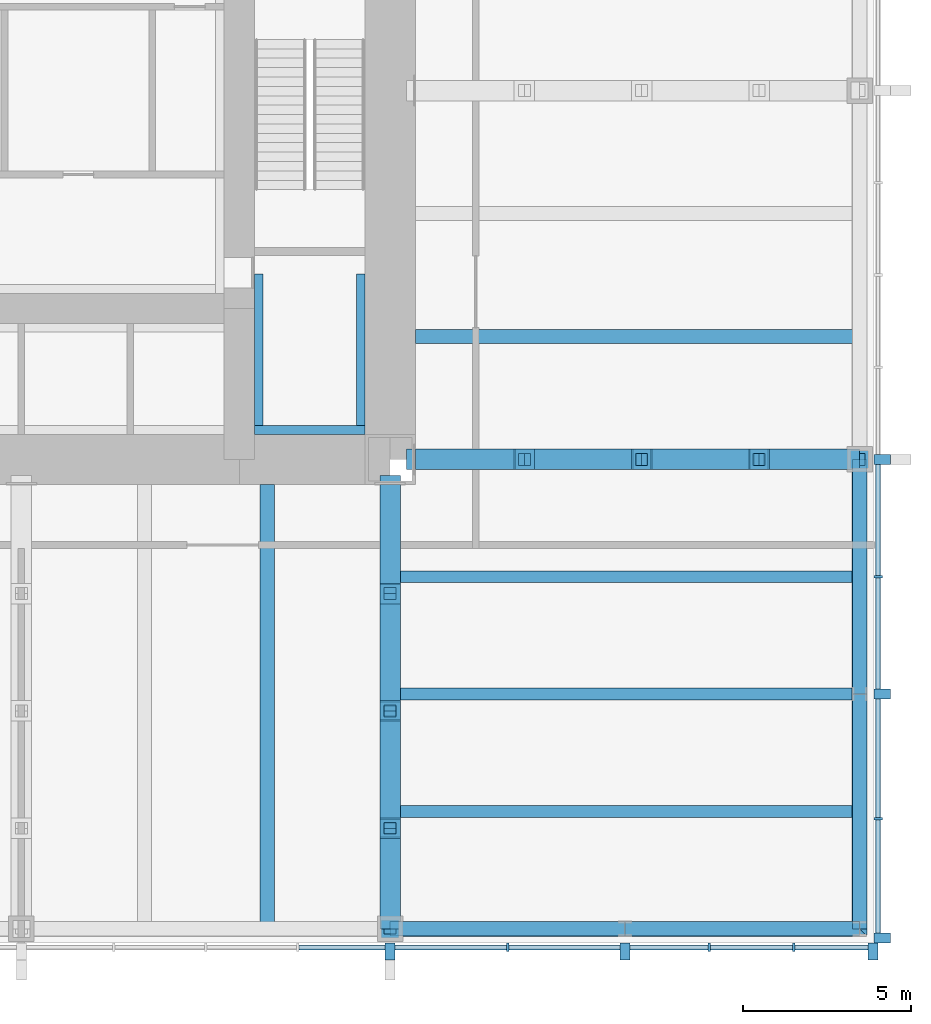
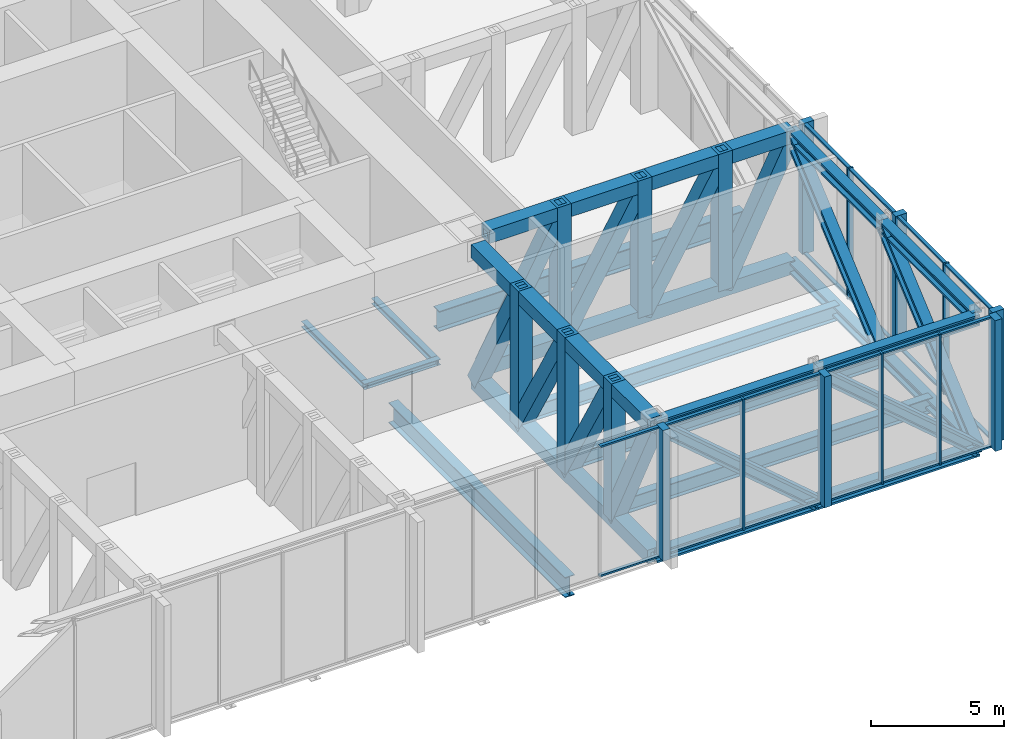
# One storey, part 5 of 13: 49 members, 26 beams, 2 elements without a shape of their own.
"""IFC4 building model written with IfcOpenShell, lengths in metres."""

import ifcopenshell
import ifcopenshell.guid

model = None  # the IFC model being written
_history = None  # IfcOwnerHistory: only IFC2X3 demands one
_inside = {}  # id of a spatial element -> (the spatial element, [elements in it])
_under = {}  # id of a project, library or spatial element -> (it, [spatial elements below it])
_declared = {}  # id of a project -> (the project, [libraries it declares])
_typed = {}  # id of a type object -> (the type object, [elements of that type])
_made_of = {}  # id of a material, layer set ... -> (it, [elements and type objects made of it])


def new_model(schema):
    """Start an empty IFC model of exactly this schema.

    Asked for "IFC4X3", IfcOpenShell would pick the latest addendum, in which some entities
    have other attributes; the version numbers below select the first issue.
    IFC2X3 requires an IfcOwnerHistory on every rooted entity: one is made here for all.
    """
    global model, _history
    if schema == "IFC4X3":
        model = ifcopenshell.file(schema_version=(4, 3, 0, 0))
    else:
        model = ifcopenshell.file(schema=schema)
    _inside.clear()
    _under.clear()
    _declared.clear()
    _typed.clear()
    _made_of.clear()
    _history = None
    if model.schema == "IFC2X3":
        org = make("IfcOrganization", Name="unknown")
        user = make(
            "IfcPersonAndOrganization",
            ThePerson=make("IfcPerson", FamilyName="unknown"),
            TheOrganization=org,
        )
        app = make(
            "IfcApplication",
            ApplicationDeveloper=org,
            Version="unknown",
            ApplicationFullName="unknown",
            ApplicationIdentifier="unknown",
        )
        _history = make(
            "IfcOwnerHistory",
            OwningUser=user,
            OwningApplication=app,
            ChangeAction="ADDED",
            CreationDate=0,
        )
    return model


def make(cls, **values):
    """One entity of the class cls with the attributes given. An attribute that is None is left unset."""
    return model.create_entity(
        cls, **{name: value for name, value in values.items() if value is not None}
    )


def rooted(cls, **values):
    """An entity with a GlobalId (a new one), such as an element, a storey or a relation."""
    return make(cls, GlobalId=ifcopenshell.guid.new(), OwnerHistory=_history, **values)


def si_unit(unit_type, name, prefix=None):
    """IfcSIUnit, for example si_unit("LENGTHUNIT", "METRE", prefix="MILLI")."""
    return make("IfcSIUnit", UnitType=unit_type, Prefix=prefix, Name=name)


def assignment(units):
    """IfcUnitAssignment: the units of a project."""
    return None if units is None else make("IfcUnitAssignment", Units=units)


def point(xyz):
    """IfcCartesianPoint."""
    return None if xyz is None else make("IfcCartesianPoint", Coordinates=xyz)


def direction(xyz):
    """IfcDirection."""
    return None if xyz is None else make("IfcDirection", DirectionRatios=xyz)


def frame(location, z_axis=None, x_axis=None):
    """IfcAxis2Placement3D, a coordinate frame: its origin and axes. An axis left out is left unset."""
    return make(
        "IfcAxis2Placement3D",
        Location=point(location),
        Axis=direction(z_axis),
        RefDirection=direction(x_axis),
    )


def frame_2d(location, x_axis=None):
    """IfcAxis2Placement2D, a coordinate frame in the plane: its origin and x axis."""
    return make(
        "IfcAxis2Placement2D", Location=point(location), RefDirection=direction(x_axis)
    )


def origin():
    """The frame at (0, 0, 0) with its axes left unset."""
    return frame((0.0, 0.0, 0.0))


def origin_2d():
    """The frame at (0, 0) in the plane with its x axis left unset."""
    return frame_2d((0.0, 0.0))


def place(relative_to, where):
    """IfcLocalPlacement: puts the frame where relative to a parent placement (None: the world)."""
    return make(
        "IfcLocalPlacement", PlacementRelTo=relative_to, RelativePlacement=where
    )


def context(
    kind, dimensions, precision=None, world=None, true_north=None, identifier=None
):
    """IfcGeometricRepresentationContext, for example the 3D "Model" context."""
    return make(
        "IfcGeometricRepresentationContext",
        ContextIdentifier=identifier,
        ContextType=kind,
        CoordinateSpaceDimension=dimensions,
        Precision=precision,
        WorldCoordinateSystem=world,
        TrueNorth=true_north,
    )


def subcontext(parent, identifier, kind, view, scale=None):
    """IfcGeometricRepresentationSubContext, for example "Body" below "Model"."""
    return make(
        "IfcGeometricRepresentationSubContext",
        ContextIdentifier=identifier,
        ContextType=kind,
        ParentContext=parent,
        TargetScale=scale,
        TargetView=view,
    )


def project(units=None, contexts=None):
    """IfcProject with its units and contexts."""
    return rooted(
        "IfcProject",
        Name="project",
        RepresentationContexts=contexts,
        UnitsInContext=assignment(units),
    )


def spatial(cls, under=None, at=None, **own):
    """A site, building, storey or space (cls), placed at a placement, below another one or the project."""
    s = rooted(cls, ObjectPlacement=at, **own)
    if under is not None:
        _under.setdefault(under.id(), (under, []))[1].append(s)
    return s


def profile(cls, at=None, kind="AREA", **sizes):
    """A parametric profile (cls). Its sizes go by their IFC names, for example OverallWidth=200.0."""
    return make(cls, ProfileType=kind, Position=at, **sizes)


def rectangle(**sizes):
    """IfcRectangleProfileDef."""
    return profile("IfcRectangleProfileDef", **sizes)


def hollow_rectangle(**sizes):
    """IfcRectangleHollowProfileDef."""
    return profile("IfcRectangleHollowProfileDef", **sizes)


def i_section(**sizes):
    """IfcIShapeProfileDef."""
    return profile("IfcIShapeProfileDef", **sizes)


def extrude(swept, where, along, depth):
    """IfcExtrudedAreaSolid: the profile swept, set in the frame where, extruded along a direction by depth."""
    return make(
        "IfcExtrudedAreaSolid",
        SweptArea=swept,
        Position=where,
        ExtrudedDirection=direction(along),
        Depth=depth,
    )


def shape(context_of_items, identifier, shape_type, items):
    """IfcShapeRepresentation: the items that make up one representation, for example the "Body"."""
    return make(
        "IfcShapeRepresentation",
        ContextOfItems=context_of_items,
        RepresentationIdentifier=identifier,
        RepresentationType=shape_type,
        Items=items,
    )


def material(Name=None, Category=None):
    """IfcMaterial."""
    return make("IfcMaterial", Name=Name, Category=Category)


def material_profile(
    of_material, cross_section, Name=None, Category=None, Priority=None
):
    """IfcMaterialProfile: a cross section and its material."""
    return make(
        "IfcMaterialProfile",
        Name=Name,
        Material=of_material,
        Profile=cross_section,
        Priority=Priority,
        Category=Category,
    )


def profile_set(profiles, Name=None, composite=None):
    """IfcMaterialProfileSet."""
    return make(
        "IfcMaterialProfileSet",
        Name=Name,
        MaterialProfiles=profiles,
        CompositeProfile=composite,
    )


def made_of(thing, what):
    """Note that an element or type object is made of a material, layer set ...; save() writes the relation."""
    if what is not None:
        _made_of.setdefault(what.id(), (what, []))[1].append(thing)
    return thing


def type_object(cls, material=None, **own):
    """A type object (cls), such as IfcWallType, which elements share."""
    return made_of(rooted(cls, **own), material)


def element(
    cls,
    number,
    at=None,
    inside=None,
    cuts=None,
    type_object=None,
    material=None,
    context=None,
    identifier="Body",
    shape_type=None,
    held_by="IfcProductDefinitionShape",
    body=None,
    shapes=None,
    **own,
):
    """One element of the class cls, such as IfcWall. Its Tag is "e" and its number.

    at: its placement. inside: the storey or other place that contains it. cuts: it is an
    opening in that element (IfcRelVoidsElement). A single representation is given by context,
    identifier, shape_type and body (its items); several are given by shapes. held_by: the class
    of the entity that holds the representations. save() writes the other relations.
    """
    e = rooted(cls, Tag="e%d" % number, ObjectPlacement=at, **own)
    if body is not None:
        shapes = [shape(context, identifier, shape_type, body)]
    if shapes is not None:
        e.Representation = make(held_by, Representations=shapes)
    if inside is not None:
        _inside.setdefault(inside.id(), (inside, []))[1].append(e)
    if cuts is not None:
        rooted(
            "IfcRelVoidsElement", RelatingBuildingElement=cuts, RelatedOpeningElement=e
        )
    if type_object is not None:
        _typed.setdefault(type_object.id(), (type_object, []))[1].append(e)
    return made_of(e, material)


def aggregate(whole, parts):
    """IfcRelAggregates: a whole, such as a stair, and the parts it consists of."""
    return rooted("IfcRelAggregates", RelatingObject=whole, RelatedObjects=parts)


def save(model, path):
    """Write the relations noted so far, then the file.

    IfcRelAggregates (storeys below a building ...), IfcRelContainedInSpatialStructure (elements
    in a storey), IfcRelDefinesByType, IfcRelAssociatesMaterial and IfcRelDeclares: one each for
    every whole, place, type object, material and project.
    """
    for whole, parts in _under.values():
        aggregate(whole, parts)
    for where, things in _inside.values():
        rooted(
            "IfcRelContainedInSpatialStructure",
            RelatedElements=things,
            RelatingStructure=where,
        )
    for kind, things in _typed.values():
        rooted("IfcRelDefinesByType", RelatedObjects=things, RelatingType=kind)
    for what, things in _made_of.values():
        rooted("IfcRelAssociatesMaterial", RelatedObjects=things, RelatingMaterial=what)
    for by, libraries in _declared.values():
        rooted("IfcRelDeclares", RelatingContext=by, RelatedDefinitions=libraries)
    model.write(path)


model = new_model("IFC4")

# Units and contexts
model_context = context("Model", 3, precision=1e-05, world=origin(), true_north=direction((0.0, 1.0)))
body_context = subcontext(model_context, "Body", "Model", "MODEL_VIEW")
ifc_project = project(units=[si_unit("LENGTHUNIT", "METRE"), si_unit("AREAUNIT", "SQUARE_METRE"), si_unit("VOLUMEUNIT", "CUBIC_METRE"), si_unit("PLANEANGLEUNIT", "RADIAN"), si_unit("MASSUNIT", "GRAM", prefix="KILO")], contexts=[model_context])

# Site, building, storey
site_placement = place(None, origin())
site = spatial("IfcSite", under=ifc_project, at=site_placement, CompositionType="ELEMENT")
building_placement = place(site_placement, origin())
building = spatial("IfcBuilding", under=site, at=building_placement, Name="Trevanion Tower", CompositionType="ELEMENT")
storey_placement = place(building_placement, frame((0.0, 0.0, 89.800048828125)))
storey = spatial("IfcBuildingStorey", under=building, at=storey_placement, Name="L21", CompositionType="ELEMENT", Elevation=89.800048828125)

# Beams
ifc_material_1 = material(Name="Steel ASTM A992 Grade 50", Category="steel")
ifc_material_profile_1 = material_profile(ifc_material_1, i_section(OverallWidth=0.419189453125, OverallDepth=0.927001953125, WebThickness=0.019287109375, FlangeThickness=0.031982421875, at=origin_2d()), Name="W36X231")
ifc_profile_set_1 = profile_set([ifc_material_profile_1], Name="Steel ASTM A992 Grade 50")
beam_type_1 = type_object("IfcBeamType", Name="B5 W36X231", PredefinedType="BEAM", material=ifc_profile_set_1)
for number, where, z_axis, x_axis, name in (
    (1, (11.75, -7.333251953125, -0.653564453125), (1.0, 0.0, 0.0), (0.0, 1.0, 0.0), "B5 L21"),
    (2, (7.333251953125, -11.75, -0.653564453125), (0.0, -1.0, 0.0), (1.0, 0.0, 0.0), "B5 L21"),
):
    element("IfcBeam", number, at=place(storey_placement, frame(where, z_axis=z_axis, x_axis=x_axis)), inside=storey, type_object=beam_type_1, Name=name, PredefinedType="BEAM", context=body_context, shape_type="SweptSolid", body=[
        extrude(i_section(OverallWidth=0.419189453125, OverallDepth=0.927001953125, WebThickness=0.019287109375, FlangeThickness=0.031982421875, at=origin_2d()), origin(), (0.0, 0.0, 1.0), 13.25),
    ])
ifc_material_2 = material(Name="Steel ASTM A992 Grade 50", Category="steel")
ifc_material_profile_2 = material_profile(ifc_material_2, i_section(OverallWidth=0.355712890625, OverallDepth=0.696044921875, WebThickness=0.015380859375, FlangeThickness=0.024658203125, at=origin_2d()), Name="W27X146")
ifc_profile_set_2 = profile_set([ifc_material_profile_2], Name="Steel ASTM A992 Grade 50")
beam_type_2 = type_object("IfcBeamType", Name="B6 W27X146", PredefinedType="BEAM", material=ifc_profile_set_2)
for number, where, z_axis, x_axis, name in (
    (3, (11.0, -14.5, -0.5380859375), (1.0, 0.0, 0.0), (0.0, 1.0, 0.0), "B6 L21"),
    (4, (11.0, -18.0, -0.5380859375), (1.0, 0.0, 0.0), (0.0, 1.0, 0.0), "B6 L21"),
    (5, (11.0, -21.5, -0.5380859375), (1.0, 0.0, 0.0), (0.0, 1.0, 0.0), "B6 L21"),
):
    element("IfcBeam", number, at=place(storey_placement, frame(where, z_axis=z_axis, x_axis=x_axis)), inside=storey, type_object=beam_type_2, Name=name, PredefinedType="BEAM", context=body_context, shape_type="SweptSolid", body=[
        extrude(i_section(OverallWidth=0.355712890625, OverallDepth=0.696044921875, WebThickness=0.015380859375, FlangeThickness=0.024658203125, at=origin_2d()), origin(), (0.0, 0.0, 1.0), 14.0),
    ])
ifc_material_3 = material(Name="Steel ASTM A992 Grade 50", Category="steel")
ifc_material_profile_3 = material_profile(ifc_material_3, i_section(OverallWidth=0.431884765625, OverallDepth=0.497802734375, WebThickness=0.0556640625, FlangeThickness=0.0888671875, at=origin_2d()), Name="W14X500")
ifc_profile_set_3 = profile_set([ifc_material_profile_3], Name="Steel ASTM A992 Grade 50")
beam_type_3 = type_object("IfcBeamType", Name="BT1-CH W14X500", PredefinedType="BEAM", material=ifc_profile_set_3)
for number, where, z_axis, x_axis, name in (
    (6, (25.0, -25.0, -0.494873046875), (0.0, 1.0, 0.0), (-1.0, 0.0, 0.0), "BT1 belt truss chord"),
    (7, (25.0, -25.0, 5.505126953125), (0.0, 1.0, 0.0), (-1.0, 0.0, 0.0), "BT1 belt truss chord"),
    (8, (25.0, -18.0, -0.494873046875), (0.0, 1.0, 0.0), (-1.0, 0.0, 0.0), "BT1 belt truss chord"),
    (9, (25.0, -18.0, 5.505126953125), (0.0, 1.0, 0.0), (-1.0, 0.0, 0.0), "BT1 belt truss chord"),
    (10, (11.0, -25.0, -0.494873046875), (1.0, 0.0, 0.0), (0.0, 1.0, 0.0), "BT1 belt truss chord"),
    (11, (11.0, -25.0, 5.505126953125), (1.0, 0.0, 0.0), (0.0, 1.0, 0.0), "BT1 belt truss chord"),
    (12, (18.0, -25.0, -0.494873046875), (1.0, 0.0, 0.0), (0.0, 1.0, 0.0), "BT1 belt truss chord"),
    (13, (18.0, -25.0, 5.505126953125), (1.0, 0.0, 0.0), (0.0, 1.0, 0.0), "BT1 belt truss chord"),
):
    element("IfcBeam", number, at=place(storey_placement, frame(where, z_axis=z_axis, x_axis=x_axis)), inside=storey, type_object=beam_type_3, Name=name, PredefinedType="BEAM", context=body_context, shape_type="SweptSolid", body=[
        extrude(i_section(OverallWidth=0.431884765625, OverallDepth=0.497802734375, WebThickness=0.0556640625, FlangeThickness=0.0888671875, at=origin_2d()), origin(), (0.0, 0.0, 1.0), 7.0),
    ])

# Members
ifc_material_4 = material(Name="Steel ASTM A992 Grade 50", Category="steel")
ifc_material_profile_4 = material_profile(ifc_material_4, i_section(OverallWidth=0.449462890625, OverallDepth=0.548583984375, WebThickness=0.07177734375, FlangeThickness=0.11474609375, at=origin_2d()), Name="W14X665")
ifc_profile_set_4 = profile_set([ifc_material_profile_4], Name="Steel ASTM A992 Grade 50")
member_type_1 = type_object("IfcMemberType", Name="BT1-D W14X665", PredefinedType="BRACE", material=ifc_profile_set_4)
for number, where, z_axis, x_axis, name in (
    (14, (25.0, -25.0, -0.494873046875), (0.0, 0.759256602365, 0.650791373456), (-1.0, 0.0, 0.0), "BT1 belt truss diagonal"),
    (15, (25.0, -18.0, -0.494873046875), (0.0, 0.759256602365, 0.650791373456), (-1.0, 0.0, 0.0), "BT1 belt truss diagonal"),
    (16, (18.0, -25.0, -0.494873046875), (-0.759256602365, 0.0, 0.650791373456), (0.0, -1.0, 0.0), "BT1 belt truss diagonal"),
    (17, (25.0, -25.0, -0.494873046875), (-0.759256602365, 0.0, 0.650791373456), (0.0, -1.0, 0.0), "BT1 belt truss diagonal"),
):
    element("IfcMember", number, at=place(storey_placement, frame(where, z_axis=z_axis, x_axis=x_axis)), inside=storey, type_object=member_type_1, Name=name, PredefinedType="BRACE", context=body_context, shape_type="SweptSolid", body=[
        extrude(i_section(OverallWidth=0.449462890625, OverallDepth=0.548583984375, WebThickness=0.07177734375, FlangeThickness=0.11474609375, at=origin_2d()), origin(), (0.0, 0.0, 1.0), 9.219482421875),
    ])

# Curtain wall, members
ifc_material_5 = material(Name="Aluminium louvres", Category="aluminium")
curtain_wall_type = type_object("IfcCurtainWallType", Name="CWL curtain wall", PredefinedType="USERDEFINED", material=ifc_material_5)
curtain_wall_1_placement = place(storey_placement, origin())
curtain_wall_1 = element("IfcCurtainWall", 18, at=curtain_wall_1_placement, inside=storey, type_object=curtain_wall_type, Name="CWL L21 0", ObjectType="LOUVRE SCREEN", PredefinedType="USERDEFINED")
ifc_material_6 = material(Name="Aluminium extrusion, anodised bronze", Category="aluminium")
ifc_material_profile_5 = material_profile(ifc_material_6, rectangle(XDim=0.074951171875, YDim=0.25, at=origin_2d()), Name="CWL mullion")
ifc_profile_set_5 = profile_set([ifc_material_profile_5], Name="Aluminium extrusion, anodised bronze")
member_type_2 = type_object("IfcMemberType", Name="CWL mullion", PredefinedType="MULLION", material=ifc_profile_set_5)
member_1_placement = place(storey_placement, frame((25.550048828125, -21.7099609375, -0.18994140625), z_axis=(0.0, 0.0, 1.0), x_axis=(0.0, 1.0, 0.0)))
member_1 = element("IfcMember", 19, at=member_1_placement, type_object=member_type_2, Name="CWL mullion 2", PredefinedType="MULLION", context=body_context, shape_type="SweptSolid", body=[
    extrude(rectangle(XDim=0.074951171875, YDim=0.25, at=origin_2d()), origin(), (0.0, 0.0, 1.0), 6.0),
])
member_2_placement = place(storey_placement, frame((25.550048828125, -14.5, -0.18994140625), z_axis=(0.0, 0.0, 1.0), x_axis=(0.0, 1.0, 0.0)))
member_2 = element("IfcMember", 20, at=member_2_placement, type_object=member_type_2, Name="CWL mullion 4", PredefinedType="MULLION", context=body_context, shape_type="SweptSolid", body=[
    extrude(rectangle(XDim=0.074951171875, YDim=0.25, at=origin_2d()), origin(), (0.0, 0.0, 1.0), 6.0),
])

curtain_wall_2_placement = place(storey_placement, origin())
curtain_wall_2 = element("IfcCurtainWall", 21, at=curtain_wall_2_placement, inside=storey, type_object=curtain_wall_type, Name="CWL L21 3", ObjectType="LOUVRE SCREEN", PredefinedType="USERDEFINED")
member_3_placement = place(storey_placement, frame((14.5, -25.550048828125, -0.18994140625), z_axis=(0.0, 0.0, 1.0), x_axis=(1.0, 0.0, 0.0)))
member_3 = element("IfcMember", 22, at=member_3_placement, type_object=member_type_2, Name="CWL mullion 14", PredefinedType="MULLION", context=body_context, shape_type="SweptSolid", body=[
    extrude(rectangle(XDim=0.074951171875, YDim=0.25, at=origin_2d()), origin(), (0.0, 0.0, 1.0), 6.0),
])
member_4_placement = place(storey_placement, frame((20.5166015625, -25.550048828125, -0.18994140625), z_axis=(0.0, 0.0, 1.0), x_axis=(1.0, 0.0, 0.0)))
member_4 = element("IfcMember", 23, at=member_4_placement, type_object=member_type_2, Name="CWL mullion 16", PredefinedType="MULLION", context=body_context, shape_type="SweptSolid", body=[
    extrude(rectangle(XDim=0.074951171875, YDim=0.25, at=origin_2d()), origin(), (0.0, 0.0, 1.0), 6.0),
])
member_5_placement = place(storey_placement, frame((23.033203125, -25.550048828125, -0.18994140625), z_axis=(0.0, 0.0, 1.0), x_axis=(1.0, 0.0, 0.0)))
member_5 = element("IfcMember", 24, at=member_5_placement, type_object=member_type_2, Name="CWL mullion 17", PredefinedType="MULLION", context=body_context, shape_type="SweptSolid", body=[
    extrude(rectangle(XDim=0.074951171875, YDim=0.25, at=origin_2d()), origin(), (0.0, 0.0, 1.0), 6.0),
])

# Member
ifc_material_7 = material(Name="Aluminium extrusion, anodised bronze", Category="aluminium")
ifc_material_profile_6 = material_profile(ifc_material_7, rectangle(XDim=0.300048828125, YDim=0.5, at=origin_2d()), Name="CWL pier mullion")
ifc_profile_set_6 = profile_set([ifc_material_profile_6], Name="Aluminium extrusion, anodised bronze")
member_type_3 = type_object("IfcMemberType", Name="CWL pier mullion", PredefinedType="MULLION", material=ifc_profile_set_6)
member_6_placement = place(storey_placement, frame((25.675048828125, -25.27001953125, -0.18994140625), z_axis=(0.0, 0.0, 1.0), x_axis=(0.0, 1.0, 0.0)))
member_6 = element("IfcMember", 25, at=member_6_placement, type_object=member_type_3, Name="CWL pier mullion 1", PredefinedType="MULLION", context=body_context, shape_type="SweptSolid", body=[
    extrude(rectangle(XDim=0.300048828125, YDim=0.5, at=origin_2d()), origin(), (0.0, 0.0, 1.0), 6.0),
])

member_7_placement = place(storey_placement, frame((25.675048828125, -18.0, -0.18994140625), z_axis=(0.0, 0.0, 1.0), x_axis=(0.0, 1.0, 0.0)))
member_7 = element("IfcMember", 26, at=member_7_placement, type_object=member_type_3, Name="CWL pier mullion 3", PredefinedType="MULLION", context=body_context, shape_type="SweptSolid", body=[
    extrude(rectangle(XDim=0.300048828125, YDim=0.5, at=origin_2d()), origin(), (0.0, 0.0, 1.0), 6.0),
])

member_8_placement = place(storey_placement, frame((25.675048828125, -11.0, -0.18994140625), z_axis=(0.0, 0.0, 1.0), x_axis=(0.0, 1.0, 0.0)))
member_8 = element("IfcMember", 27, at=member_8_placement, type_object=member_type_3, Name="CWL pier mullion 5", PredefinedType="MULLION", context=body_context, shape_type="SweptSolid", body=[
    extrude(rectangle(XDim=0.300048828125, YDim=0.5, at=origin_2d()), origin(), (0.0, 0.0, 1.0), 6.0),
])

member_9_placement = place(storey_placement, frame((11.0, -25.675048828125, -0.18994140625), z_axis=(0.0, 0.0, 1.0), x_axis=(1.0, 0.0, 0.0)))
member_9 = element("IfcMember", 28, at=member_9_placement, type_object=member_type_3, Name="CWL pier mullion 13", PredefinedType="MULLION", context=body_context, shape_type="SweptSolid", body=[
    extrude(rectangle(XDim=0.300048828125, YDim=0.5, at=origin_2d()), origin(), (0.0, 0.0, 1.0), 6.0),
])

member_10_placement = place(storey_placement, frame((18.0, -25.675048828125, -0.18994140625), z_axis=(0.0, 0.0, 1.0), x_axis=(1.0, 0.0, 0.0)))
member_10 = element("IfcMember", 29, at=member_10_placement, type_object=member_type_3, Name="CWL pier mullion 15", PredefinedType="MULLION", context=body_context, shape_type="SweptSolid", body=[
    extrude(rectangle(XDim=0.300048828125, YDim=0.5, at=origin_2d()), origin(), (0.0, 0.0, 1.0), 6.0),
])

member_11_placement = place(storey_placement, frame((25.39990234375, -25.675048828125, -0.18994140625), z_axis=(0.0, 0.0, 1.0), x_axis=(1.0, 0.0, 0.0)))
member_11 = element("IfcMember", 30, at=member_11_placement, type_object=member_type_3, Name="CWL pier mullion 18", PredefinedType="MULLION", context=body_context, shape_type="SweptSolid", body=[
    extrude(rectangle(XDim=0.300048828125, YDim=0.5, at=origin_2d()), origin(), (0.0, 0.0, 1.0), 6.0),
])

ifc_material_8 = material(Name="Aluminium extrusion, anodised bronze", Category="aluminium")
ifc_material_profile_7 = material_profile(ifc_material_8, rectangle(XDim=0.14990234375, YDim=0.074951171875, at=origin_2d()), Name="CWL transom")
ifc_profile_set_7 = profile_set([ifc_material_profile_7], Name="Aluminium extrusion, anodised bronze")
member_type_4 = type_object("IfcMemberType", Name="CWL transom", PredefinedType="USERDEFINED", material=ifc_profile_set_7)
member_12_placement = place(storey_placement, frame((25.550048828125, -25.1201171875, -0.152587890625), z_axis=(0.0, 1.0, 0.0), x_axis=(-1.0, 0.0, 0.0)))
member_12 = element("IfcMember", 31, at=member_12_placement, type_object=member_type_4, Name="CWL transom 1.1", ObjectType="TRANSOM", PredefinedType="USERDEFINED", context=body_context, shape_type="SweptSolid", body=[
    extrude(rectangle(XDim=0.14990234375, YDim=0.074951171875, at=origin_2d()), origin(), (0.0, 0.0, 1.0), 3.37255859375),
])

member_13_placement = place(storey_placement, frame((25.550048828125, -25.1201171875, 5.7724609375), z_axis=(0.0, 1.0, 0.0), x_axis=(-1.0, 0.0, 0.0)))
member_13 = element("IfcMember", 32, at=member_13_placement, type_object=member_type_4, Name="CWL transom 1.2", ObjectType="TRANSOM", PredefinedType="USERDEFINED", context=body_context, shape_type="SweptSolid", body=[
    extrude(rectangle(XDim=0.14990234375, YDim=0.074951171875, at=origin_2d()), origin(), (0.0, 0.0, 1.0), 3.37255859375),
])

member_14_placement = place(storey_placement, frame((25.550048828125, -21.672607421875, -0.152587890625), z_axis=(0.0, 1.0, 0.0), x_axis=(-1.0, 0.0, 0.0)))
member_14 = element("IfcMember", 33, at=member_14_placement, type_object=member_type_4, Name="CWL transom 2.1", ObjectType="TRANSOM", PredefinedType="USERDEFINED", context=body_context, shape_type="SweptSolid", body=[
    extrude(rectangle(XDim=0.14990234375, YDim=0.074951171875, at=origin_2d()), origin(), (0.0, 0.0, 1.0), 3.522705078125),
])

member_15_placement = place(storey_placement, frame((25.550048828125, -21.672607421875, 5.7724609375), z_axis=(0.0, 1.0, 0.0), x_axis=(-1.0, 0.0, 0.0)))
member_15 = element("IfcMember", 34, at=member_15_placement, type_object=member_type_4, Name="CWL transom 2.2", ObjectType="TRANSOM", PredefinedType="USERDEFINED", context=body_context, shape_type="SweptSolid", body=[
    extrude(rectangle(XDim=0.14990234375, YDim=0.074951171875, at=origin_2d()), origin(), (0.0, 0.0, 1.0), 3.522705078125),
])

member_16_placement = place(storey_placement, frame((25.550048828125, -17.85009765625, -0.152587890625), z_axis=(0.0, 1.0, 0.0), x_axis=(-1.0, 0.0, 0.0)))
member_16 = element("IfcMember", 35, at=member_16_placement, type_object=member_type_4, Name="CWL transom 3.1", ObjectType="TRANSOM", PredefinedType="USERDEFINED", context=body_context, shape_type="SweptSolid", body=[
    extrude(rectangle(XDim=0.14990234375, YDim=0.074951171875, at=origin_2d()), origin(), (0.0, 0.0, 1.0), 3.3125),
])

member_17_placement = place(storey_placement, frame((25.550048828125, -17.85009765625, 5.7724609375), z_axis=(0.0, 1.0, 0.0), x_axis=(-1.0, 0.0, 0.0)))
member_17 = element("IfcMember", 36, at=member_17_placement, type_object=member_type_4, Name="CWL transom 3.2", ObjectType="TRANSOM", PredefinedType="USERDEFINED", context=body_context, shape_type="SweptSolid", body=[
    extrude(rectangle(XDim=0.14990234375, YDim=0.074951171875, at=origin_2d()), origin(), (0.0, 0.0, 1.0), 3.3125),
])

member_18_placement = place(storey_placement, frame((25.550048828125, -14.46240234375, -0.152587890625), z_axis=(0.0, 1.0, 0.0), x_axis=(-1.0, 0.0, 0.0)))
member_18 = element("IfcMember", 37, at=member_18_placement, type_object=member_type_4, Name="CWL transom 4.1", ObjectType="TRANSOM", PredefinedType="USERDEFINED", context=body_context, shape_type="SweptSolid", body=[
    extrude(rectangle(XDim=0.14990234375, YDim=0.074951171875, at=origin_2d()), origin(), (0.0, 0.0, 1.0), 3.3125),
])

member_19_placement = place(storey_placement, frame((25.550048828125, -14.46240234375, 5.7724609375), z_axis=(0.0, 1.0, 0.0), x_axis=(-1.0, 0.0, 0.0)))
member_19 = element("IfcMember", 38, at=member_19_placement, type_object=member_type_4, Name="CWL transom 4.2", ObjectType="TRANSOM", PredefinedType="USERDEFINED", context=body_context, shape_type="SweptSolid", body=[
    extrude(rectangle(XDim=0.14990234375, YDim=0.074951171875, at=origin_2d()), origin(), (0.0, 0.0, 1.0), 3.3125),
])

aggregate(curtain_wall_1, [member_6, member_1, member_7, member_2, member_8, member_12, member_13, member_14, member_15, member_16, member_17, member_18, member_19])

member_20_placement = place(storey_placement, frame((8.28759765625, -25.550048828125, -0.152587890625), z_axis=(1.0, 0.0, 0.0), x_axis=(0.0, 1.0, 0.0)))
member_20 = element("IfcMember", 39, at=member_20_placement, type_object=member_type_4, Name="CWL transom 12.1", ObjectType="TRANSOM", PredefinedType="USERDEFINED", context=body_context, shape_type="SweptSolid", body=[
    extrude(rectangle(XDim=0.14990234375, YDim=0.074951171875, at=origin_2d()), origin(), (0.0, 0.0, 1.0), 2.5625),
])

member_21_placement = place(storey_placement, frame((8.28759765625, -25.550048828125, 5.7724609375), z_axis=(1.0, 0.0, 0.0), x_axis=(0.0, 1.0, 0.0)))
member_21 = element("IfcMember", 40, at=member_21_placement, type_object=member_type_4, Name="CWL transom 12.2", ObjectType="TRANSOM", PredefinedType="USERDEFINED", context=body_context, shape_type="SweptSolid", body=[
    extrude(rectangle(XDim=0.14990234375, YDim=0.074951171875, at=origin_2d()), origin(), (0.0, 0.0, 1.0), 2.5625),
])

member_22_placement = place(storey_placement, frame((11.14990234375, -25.550048828125, -0.152587890625), z_axis=(1.0, 0.0, 0.0), x_axis=(0.0, 1.0, 0.0)))
member_22 = element("IfcMember", 41, at=member_22_placement, type_object=member_type_4, Name="CWL transom 13.1", ObjectType="TRANSOM", PredefinedType="USERDEFINED", context=body_context, shape_type="SweptSolid", body=[
    extrude(rectangle(XDim=0.14990234375, YDim=0.074951171875, at=origin_2d()), origin(), (0.0, 0.0, 1.0), 3.3125),
])

member_23_placement = place(storey_placement, frame((11.14990234375, -25.550048828125, 5.7724609375), z_axis=(1.0, 0.0, 0.0), x_axis=(0.0, 1.0, 0.0)))
member_23 = element("IfcMember", 42, at=member_23_placement, type_object=member_type_4, Name="CWL transom 13.2", ObjectType="TRANSOM", PredefinedType="USERDEFINED", context=body_context, shape_type="SweptSolid", body=[
    extrude(rectangle(XDim=0.14990234375, YDim=0.074951171875, at=origin_2d()), origin(), (0.0, 0.0, 1.0), 3.3125),
])

member_24_placement = place(storey_placement, frame((14.53759765625, -25.550048828125, -0.152587890625), z_axis=(1.0, 0.0, 0.0), x_axis=(0.0, 1.0, 0.0)))
member_24 = element("IfcMember", 43, at=member_24_placement, type_object=member_type_4, Name="CWL transom 14.1", ObjectType="TRANSOM", PredefinedType="USERDEFINED", context=body_context, shape_type="SweptSolid", body=[
    extrude(rectangle(XDim=0.14990234375, YDim=0.074951171875, at=origin_2d()), origin(), (0.0, 0.0, 1.0), 3.3125),
])

member_25_placement = place(storey_placement, frame((14.53759765625, -25.550048828125, 5.7724609375), z_axis=(1.0, 0.0, 0.0), x_axis=(0.0, 1.0, 0.0)))
member_25 = element("IfcMember", 44, at=member_25_placement, type_object=member_type_4, Name="CWL transom 14.2", ObjectType="TRANSOM", PredefinedType="USERDEFINED", context=body_context, shape_type="SweptSolid", body=[
    extrude(rectangle(XDim=0.14990234375, YDim=0.074951171875, at=origin_2d()), origin(), (0.0, 0.0, 1.0), 3.3125),
])

member_26_placement = place(storey_placement, frame((18.14990234375, -25.550048828125, -0.152587890625), z_axis=(1.0, 0.0, 0.0), x_axis=(0.0, 1.0, 0.0)))
member_26 = element("IfcMember", 45, at=member_26_placement, type_object=member_type_4, Name="CWL transom 15.1", ObjectType="TRANSOM", PredefinedType="USERDEFINED", context=body_context, shape_type="SweptSolid", body=[
    extrude(rectangle(XDim=0.14990234375, YDim=0.074951171875, at=origin_2d()), origin(), (0.0, 0.0, 1.0), 2.329345703125),
])

member_27_placement = place(storey_placement, frame((18.14990234375, -25.550048828125, 5.7724609375), z_axis=(1.0, 0.0, 0.0), x_axis=(0.0, 1.0, 0.0)))
member_27 = element("IfcMember", 46, at=member_27_placement, type_object=member_type_4, Name="CWL transom 15.2", ObjectType="TRANSOM", PredefinedType="USERDEFINED", context=body_context, shape_type="SweptSolid", body=[
    extrude(rectangle(XDim=0.14990234375, YDim=0.074951171875, at=origin_2d()), origin(), (0.0, 0.0, 1.0), 2.329345703125),
])

member_28_placement = place(storey_placement, frame((20.55419921875, -25.550048828125, -0.152587890625), z_axis=(1.0, 0.0, 0.0), x_axis=(0.0, 1.0, 0.0)))
member_28 = element("IfcMember", 47, at=member_28_placement, type_object=member_type_4, Name="CWL transom 16.1", ObjectType="TRANSOM", PredefinedType="USERDEFINED", context=body_context, shape_type="SweptSolid", body=[
    extrude(rectangle(XDim=0.14990234375, YDim=0.074951171875, at=origin_2d()), origin(), (0.0, 0.0, 1.0), 2.441650390625),
])

member_29_placement = place(storey_placement, frame((20.55419921875, -25.550048828125, 5.7724609375), z_axis=(1.0, 0.0, 0.0), x_axis=(0.0, 1.0, 0.0)))
member_29 = element("IfcMember", 48, at=member_29_placement, type_object=member_type_4, Name="CWL transom 16.2", ObjectType="TRANSOM", PredefinedType="USERDEFINED", context=body_context, shape_type="SweptSolid", body=[
    extrude(rectangle(XDim=0.14990234375, YDim=0.074951171875, at=origin_2d()), origin(), (0.0, 0.0, 1.0), 2.441650390625),
])

member_30_placement = place(storey_placement, frame((23.07080078125, -25.550048828125, -0.152587890625), z_axis=(1.0, 0.0, 0.0), x_axis=(0.0, 1.0, 0.0)))
member_30 = element("IfcMember", 49, at=member_30_placement, type_object=member_type_4, Name="CWL transom 17.1", ObjectType="TRANSOM", PredefinedType="USERDEFINED", context=body_context, shape_type="SweptSolid", body=[
    extrude(rectangle(XDim=0.14990234375, YDim=0.074951171875, at=origin_2d()), origin(), (0.0, 0.0, 1.0), 2.17919921875),
])

member_31_placement = place(storey_placement, frame((23.07080078125, -25.550048828125, 5.7724609375), z_axis=(1.0, 0.0, 0.0), x_axis=(0.0, 1.0, 0.0)))
member_31 = element("IfcMember", 50, at=member_31_placement, type_object=member_type_4, Name="CWL transom 17.2", ObjectType="TRANSOM", PredefinedType="USERDEFINED", context=body_context, shape_type="SweptSolid", body=[
    extrude(rectangle(XDim=0.14990234375, YDim=0.074951171875, at=origin_2d()), origin(), (0.0, 0.0, 1.0), 2.17919921875),
])

aggregate(curtain_wall_2, [member_9, member_3, member_10, member_4, member_5, member_11, member_20, member_21, member_22, member_23, member_24, member_25, member_26, member_27, member_28, member_29, member_30, member_31])

# Beams
ifc_material_9 = material(Name="Steel ASTM A992 Grade 50", Category="steel")
ifc_material_profile_8 = material_profile(ifc_material_9, i_section(OverallWidth=0.256591796875, OverallDepth=0.26416015625, WebThickness=0.011962890625, FlangeThickness=0.01953125, at=origin_2d()), Name="W10X68")
ifc_profile_set_8 = profile_set([ifc_material_profile_8], Name="Steel ASTM A992 Grade 50")
beam_type_4 = type_object("IfcBeamType", Name="LB1 W10X68", PredefinedType="BEAM", material=ifc_profile_set_8)
for number, where, z_axis, x_axis, name in (
    (51, (7.078369140625, -10.25, -0.33203125), (0.0, 1.0, 0.0), (-1.0, 0.0, 0.0), "LB1 L21"),
    (52, (10.12158203125, -10.25, -0.33203125), (0.0, 1.0, 0.0), (-1.0, 0.0, 0.0), "LB1 L21"),
):
    element("IfcBeam", number, at=place(storey_placement, frame(where, z_axis=z_axis, x_axis=x_axis)), inside=storey, type_object=beam_type_4, Name=name, PredefinedType="BEAM", context=body_context, shape_type="SweptSolid", body=[
        extrude(i_section(OverallWidth=0.256591796875, OverallDepth=0.26416015625, WebThickness=0.011962890625, FlangeThickness=0.01953125, at=origin_2d()), origin(), (0.0, 0.0, 1.0), 4.77490234375),
    ])
beam_1_placement = place(storey_placement, frame((6.949951171875, -10.12158203125, -0.33203125), z_axis=(1.0, 0.0, 0.0), x_axis=(0.0, 1.0, 0.0)))
element("IfcBeam", 53, at=beam_1_placement, inside=storey, type_object=beam_type_4, Name="LB1 L21", PredefinedType="BEAM", context=body_context, shape_type="SweptSolid", body=[
    extrude(i_section(OverallWidth=0.256591796875, OverallDepth=0.26416015625, WebThickness=0.011962890625, FlangeThickness=0.01953125, at=origin_2d()), origin(), (0.0, 0.0, 1.0), 3.300048828125),
])
ifc_material_10 = material(Name="Steel ASTM A588 Grade 50", Category="steel")
ifc_material_profile_9 = material_profile(ifc_material_10, hollow_rectangle(XDim=0.609619140625, YDim=0.609619140625, WallThickness=0.15234375, at=origin_2d()), Name="BOX24X24X6")
ifc_profile_set_9 = profile_set([ifc_material_profile_9], Name="Steel ASTM A588 Grade 50")
beam_type_5 = type_object("IfcBeamType", Name="OT1-CH BOX24X24X6", PredefinedType="BEAM", material=ifc_profile_set_9)
beam_2_placement = place(storey_placement, frame((11.75, -11.0, -0.494873046875), z_axis=(1.0, 0.0, 0.0), x_axis=(0.0, 1.0, 0.0)))
element("IfcBeam", 54, at=beam_2_placement, inside=storey, type_object=beam_type_5, Name="OT1 17/F outrigger and transfer truss chord", PredefinedType="BEAM", context=body_context, shape_type="SweptSolid", body=[
    extrude(hollow_rectangle(XDim=0.609619140625, YDim=0.609619140625, WallThickness=0.15234375, at=origin_2d()), origin(), (0.0, 0.0, 1.0), 13.25),
])
beam_3_placement = place(storey_placement, frame((11.75, -11.0, 5.505126953125), z_axis=(1.0, 0.0, 0.0), x_axis=(0.0, 1.0, 0.0)))
element("IfcBeam", 55, at=beam_3_placement, inside=storey, type_object=beam_type_5, Name="OT1 17/F outrigger and transfer truss chord", PredefinedType="BEAM", context=body_context, shape_type="SweptSolid", body=[
    extrude(hollow_rectangle(XDim=0.609619140625, YDim=0.609619140625, WallThickness=0.15234375, at=origin_2d()), origin(), (0.0, 0.0, 1.0), 3.25),
])
for number, where, z_axis, x_axis, name in (
    (56, (15.0, -11.0, 5.505126953125), (1.0, 0.0, 0.0), (0.0, 1.0, 0.0), "OT1 17/F outrigger and transfer truss chord"),
    (57, (18.5, -11.0, 5.505126953125), (1.0, 0.0, 0.0), (0.0, 1.0, 0.0), "OT1 17/F outrigger and transfer truss chord"),
):
    element("IfcBeam", number, at=place(storey_placement, frame(where, z_axis=z_axis, x_axis=x_axis)), inside=storey, type_object=beam_type_5, Name=name, PredefinedType="BEAM", context=body_context, shape_type="SweptSolid", body=[
        extrude(hollow_rectangle(XDim=0.609619140625, YDim=0.609619140625, WallThickness=0.15234375, at=origin_2d()), origin(), (0.0, 0.0, 1.0), 3.5),
    ])
beam_4_placement = place(storey_placement, frame((22.0, -11.0, 5.505126953125), z_axis=(1.0, 0.0, 0.0), x_axis=(0.0, 1.0, 0.0)))
element("IfcBeam", 58, at=beam_4_placement, inside=storey, type_object=beam_type_5, Name="OT1 17/F outrigger and transfer truss chord", PredefinedType="BEAM", context=body_context, shape_type="SweptSolid", body=[
    extrude(hollow_rectangle(XDim=0.609619140625, YDim=0.609619140625, WallThickness=0.15234375, at=origin_2d()), origin(), (0.0, 0.0, 1.0), 3.0),
])
beam_5_placement = place(storey_placement, frame((11.0, -11.75, -0.494873046875), z_axis=(0.0, -1.0, 0.0), x_axis=(1.0, 0.0, 0.0)))
element("IfcBeam", 59, at=beam_5_placement, inside=storey, type_object=beam_type_5, Name="OT1 12/A outrigger and transfer truss chord", PredefinedType="BEAM", context=body_context, shape_type="SweptSolid", body=[
    extrude(hollow_rectangle(XDim=0.609619140625, YDim=0.609619140625, WallThickness=0.15234375, at=origin_2d()), origin(), (0.0, 0.0, 1.0), 13.25),
])
beam_6_placement = place(storey_placement, frame((11.0, -11.75, 5.505126953125), z_axis=(0.0, -1.0, 0.0), x_axis=(1.0, 0.0, 0.0)))
element("IfcBeam", 60, at=beam_6_placement, inside=storey, type_object=beam_type_5, Name="OT1 12/A outrigger and transfer truss chord", PredefinedType="BEAM", context=body_context, shape_type="SweptSolid", body=[
    extrude(hollow_rectangle(XDim=0.609619140625, YDim=0.609619140625, WallThickness=0.15234375, at=origin_2d()), origin(), (0.0, 0.0, 1.0), 3.25),
])
for number, where, z_axis, x_axis, name in (
    (61, (11.0, -15.0, 5.505126953125), (0.0, -1.0, 0.0), (1.0, 0.0, 0.0), "OT1 12/A outrigger and transfer truss chord"),
    (62, (11.0, -18.5, 5.505126953125), (0.0, -1.0, 0.0), (1.0, 0.0, 0.0), "OT1 12/A outrigger and transfer truss chord"),
):
    element("IfcBeam", number, at=place(storey_placement, frame(where, z_axis=z_axis, x_axis=x_axis)), inside=storey, type_object=beam_type_5, Name=name, PredefinedType="BEAM", context=body_context, shape_type="SweptSolid", body=[
        extrude(hollow_rectangle(XDim=0.609619140625, YDim=0.609619140625, WallThickness=0.15234375, at=origin_2d()), origin(), (0.0, 0.0, 1.0), 3.5),
    ])
beam_7_placement = place(storey_placement, frame((11.0, -22.0, 5.505126953125), z_axis=(0.0, -1.0, 0.0), x_axis=(1.0, 0.0, 0.0)))
element("IfcBeam", 63, at=beam_7_placement, inside=storey, type_object=beam_type_5, Name="OT1 12/A outrigger and transfer truss chord", PredefinedType="BEAM", context=body_context, shape_type="SweptSolid", body=[
    extrude(hollow_rectangle(XDim=0.609619140625, YDim=0.609619140625, WallThickness=0.15234375, at=origin_2d()), origin(), (0.0, 0.0, 1.0), 3.0),
])

# Members
ifc_material_11 = material(Name="Steel ASTM A588 Grade 50", Category="steel")
ifc_material_profile_10 = material_profile(ifc_material_11, hollow_rectangle(XDim=0.609619140625, YDim=0.609619140625, WallThickness=0.126953125, at=origin_2d()), Name="BOX24X24X5")
ifc_profile_set_10 = profile_set([ifc_material_profile_10], Name="Steel ASTM A588 Grade 50")
member_type_5 = type_object("IfcMemberType", Name="OT1-D BOX24X24X5", PredefinedType="BRACE", material=ifc_profile_set_10)
member_32_placement = place(storey_placement, frame((11.75, -11.0, -0.494873046875), z_axis=(0.476283148541, 0.0, 0.879291966537), x_axis=(0.0, 1.0, 0.0)))
element("IfcMember", 64, at=member_32_placement, inside=storey, type_object=member_type_5, Name="OT1 17/F outrigger and transfer truss diagonal", PredefinedType="BRACE", context=body_context, shape_type="SweptSolid", body=[
    extrude(hollow_rectangle(XDim=0.609619140625, YDim=0.609619140625, WallThickness=0.126953125, at=origin_2d()), origin(), (0.0, 0.0, 1.0), 6.82373046875),
])
for number, where, z_axis, x_axis, name in (
    (65, (15.0, -11.0, -0.494873046875), (0.503871025524, 0.0, 0.863778900898), (0.0, 1.0, 0.0), "OT1 17/F outrigger and transfer truss diagonal"),
    (66, (18.5, -11.0, -0.494873046875), (0.503871025524, 0.0, 0.863778900898), (0.0, 1.0, 0.0), "OT1 17/F outrigger and transfer truss diagonal"),
):
    element("IfcMember", number, at=place(storey_placement, frame(where, z_axis=z_axis, x_axis=x_axis)), inside=storey, type_object=member_type_5, Name=name, PredefinedType="BRACE", context=body_context, shape_type="SweptSolid", body=[
        extrude(hollow_rectangle(XDim=0.609619140625, YDim=0.609619140625, WallThickness=0.126953125, at=origin_2d()), origin(), (0.0, 0.0, 1.0), 6.9462890625),
    ])
member_33_placement = place(storey_placement, frame((22.0, -11.0, -0.494873046875), z_axis=(0.4472135955, 0.0, 0.894427191), x_axis=(0.0, 1.0, 0.0)))
element("IfcMember", 67, at=member_33_placement, inside=storey, type_object=member_type_5, Name="OT1 17/F outrigger and transfer truss diagonal", PredefinedType="BRACE", context=body_context, shape_type="SweptSolid", body=[
    extrude(hollow_rectangle(XDim=0.609619140625, YDim=0.609619140625, WallThickness=0.126953125, at=origin_2d()), origin(), (0.0, 0.0, 1.0), 6.708251953125),
])
member_34_placement = place(storey_placement, frame((11.0, -11.75, -0.494873046875), z_axis=(0.0, -0.476283148541, 0.879291966537), x_axis=(1.0, 0.0, 0.0)))
element("IfcMember", 68, at=member_34_placement, inside=storey, type_object=member_type_5, Name="OT1 12/A outrigger and transfer truss diagonal", PredefinedType="BRACE", context=body_context, shape_type="SweptSolid", body=[
    extrude(hollow_rectangle(XDim=0.609619140625, YDim=0.609619140625, WallThickness=0.126953125, at=origin_2d()), origin(), (0.0, 0.0, 1.0), 6.82373046875),
])
for number, where, z_axis, x_axis, name in (
    (69, (11.0, -15.0, -0.494873046875), (0.0, -0.503871025524, 0.863778900898), (1.0, 0.0, 0.0), "OT1 12/A outrigger and transfer truss diagonal"),
    (70, (11.0, -18.5, -0.494873046875), (0.0, -0.503871025524, 0.863778900898), (1.0, 0.0, 0.0), "OT1 12/A outrigger and transfer truss diagonal"),
):
    element("IfcMember", number, at=place(storey_placement, frame(where, z_axis=z_axis, x_axis=x_axis)), inside=storey, type_object=member_type_5, Name=name, PredefinedType="BRACE", context=body_context, shape_type="SweptSolid", body=[
        extrude(hollow_rectangle(XDim=0.609619140625, YDim=0.609619140625, WallThickness=0.126953125, at=origin_2d()), origin(), (0.0, 0.0, 1.0), 6.9462890625),
    ])
member_35_placement = place(storey_placement, frame((11.0, -22.0, -0.494873046875), z_axis=(0.0, -0.4472135955, 0.894427191), x_axis=(1.0, 0.0, 0.0)))
element("IfcMember", 71, at=member_35_placement, inside=storey, type_object=member_type_5, Name="OT1 12/A outrigger and transfer truss diagonal", PredefinedType="BRACE", context=body_context, shape_type="SweptSolid", body=[
    extrude(hollow_rectangle(XDim=0.609619140625, YDim=0.609619140625, WallThickness=0.126953125, at=origin_2d()), origin(), (0.0, 0.0, 1.0), 6.708251953125),
])
ifc_material_12 = material(Name="Steel ASTM A588 Grade 50", Category="steel")
ifc_material_profile_11 = material_profile(ifc_material_12, hollow_rectangle(XDim=0.609619140625, YDim=0.609619140625, WallThickness=0.126953125, at=origin_2d()), Name="BOX24X24X5")
ifc_profile_set_11 = profile_set([ifc_material_profile_11], Name="Steel ASTM A588 Grade 50")
member_type_6 = type_object("IfcMemberType", Name="OT1-V BOX24X24X5", PredefinedType="POST", material=ifc_profile_set_11)
for number, where, z_axis, x_axis, name in (
    (72, (15.0, -11.0, -0.494873046875), (0.0, 0.0, 1.0), (1.0, 0.0, 0.0), "OT1 17/F outrigger and transfer truss vertical"),
    (73, (18.5, -11.0, -0.494873046875), (0.0, 0.0, 1.0), (1.0, 0.0, 0.0), "OT1 17/F outrigger and transfer truss vertical"),
    (74, (22.0, -11.0, -0.494873046875), (0.0, 0.0, 1.0), (1.0, 0.0, 0.0), "OT1 17/F outrigger and transfer truss vertical"),
    (75, (11.0, -15.0, -0.494873046875), (0.0, 0.0, 1.0), (1.0, 0.0, 0.0), "OT1 12/A outrigger and transfer truss vertical"),
    (76, (11.0, -18.5, -0.494873046875), (0.0, 0.0, 1.0), (1.0, 0.0, 0.0), "OT1 12/A outrigger and transfer truss vertical"),
    (77, (11.0, -22.0, -0.494873046875), (0.0, 0.0, 1.0), (1.0, 0.0, 0.0), "OT1 12/A outrigger and transfer truss vertical"),
):
    element("IfcMember", number, at=place(storey_placement, frame(where, z_axis=z_axis, x_axis=x_axis)), inside=storey, type_object=member_type_6, Name=name, PredefinedType="POST", context=body_context, shape_type="SweptSolid", body=[
        extrude(hollow_rectangle(XDim=0.609619140625, YDim=0.609619140625, WallThickness=0.126953125, at=origin_2d()), origin(), (0.0, 0.0, 1.0), 6.304931640625),
    ])

save(model, "model.ifc")
